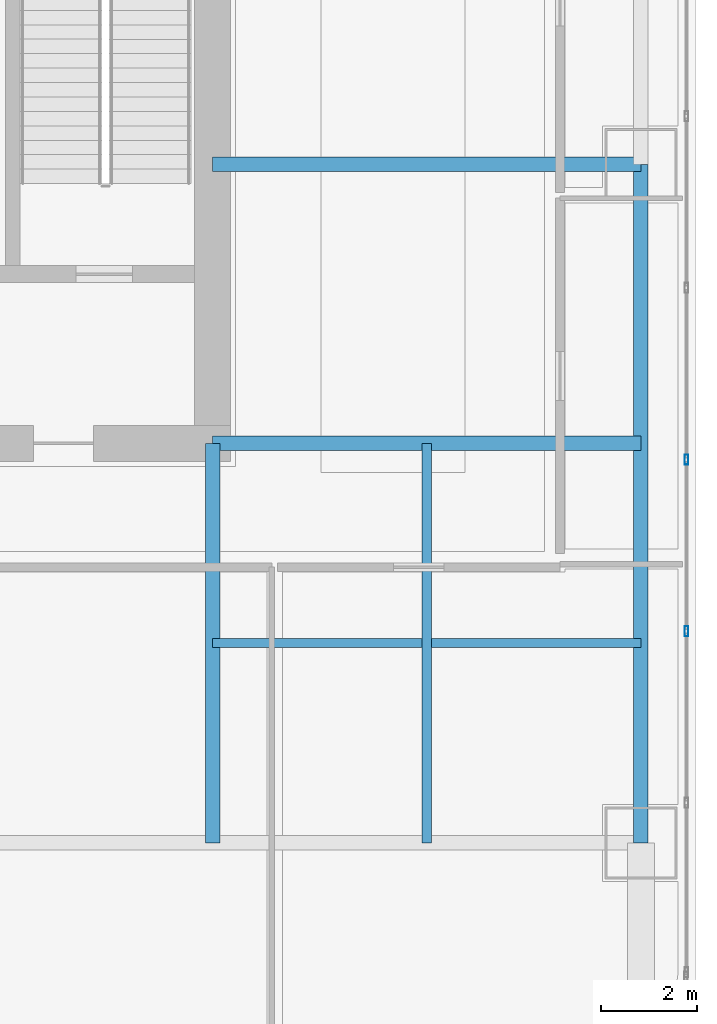
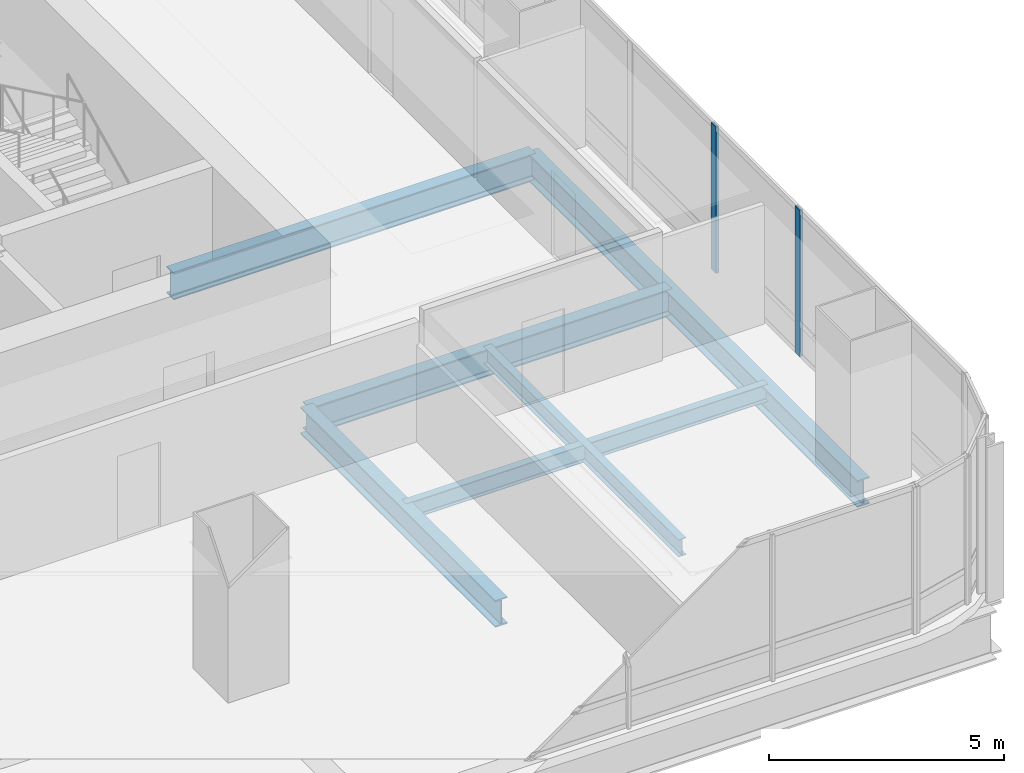
# One storey, part 14 of 36: 6 beams, 2 members, 1 element without a shape of its own.
"""IFC4 building model written with IfcOpenShell, lengths in metres."""

from ifc_helpers import new_model, si_unit, direction, frame, origin, origin_2d, place, context, subcontext, project, spatial, hollow_rectangle, i_section, extrude, material, material_profile, profile_set, type_object, element, aggregate, save


model = new_model("IFC4")

# Units and contexts
model_context = context("Model", 3, precision=1e-05, world=origin(), true_north=direction((0.0, 1.0)))
body_context = subcontext(model_context, "Body", "Model", "MODEL_VIEW")
ifc_project = project(units=[si_unit("LENGTHUNIT", "METRE"), si_unit("AREAUNIT", "SQUARE_METRE"), si_unit("VOLUMEUNIT", "CUBIC_METRE"), si_unit("PLANEANGLEUNIT", "RADIAN"), si_unit("MASSUNIT", "GRAM", prefix="KILO")], contexts=[model_context])

# Site, building, storey
site_placement = place(None, origin())
site = spatial("IfcSite", under=ifc_project, at=site_placement, CompositionType="ELEMENT")
building_placement = place(site_placement, origin())
building = spatial("IfcBuilding", under=site, at=building_placement, Name="Punatoya Terracotta Tower", CompositionType="ELEMENT")
storey_placement = place(building_placement, frame((0.0, 0.0, 36.300048828125)))
storey = spatial("IfcBuildingStorey", under=building, at=storey_placement, Name="L07", CompositionType="ELEMENT", Elevation=36.300048828125)

# Beams
ifc_material_1 = material(Name="Steel S355", Category="steel")
ifc_material_profile_1 = material_profile(ifc_material_1, i_section(OverallWidth=0.300048828125, OverallDepth=0.699951171875, WebThickness=0.01708984375, FlangeThickness=0.031982421875, FilletRadius=0.01806640625, at=origin_2d()))
ifc_profile_set_1 = profile_set([ifc_material_profile_1], Name="Steel S355")
beam_type_1 = type_object("IfcBeamType", Name="BM-PRI-700", PredefinedType="BEAM", material=ifc_profile_set_1)
beam_1_placement = place(storey_placement, frame((19.10009765625, -17.5, -0.590087890625), z_axis=(0.0, 1.0, 0.0), x_axis=(-1.0, 0.0, 0.0)))
element("IfcBeam", 1, at=beam_1_placement, inside=storey, type_object=beam_type_1, Name="BM-L07-RG-E1", PredefinedType="BEAM", context=body_context, shape_type="SweptSolid", body=[
    extrude(i_section(OverallWidth=0.300048828125, OverallDepth=0.699951171875, WebThickness=0.01708984375, FlangeThickness=0.031982421875, FilletRadius=0.01806640625, at=origin_2d()), origin(), (0.0, 0.0, 1.0), 14.10009765625),
])
for number, where, z_axis, x_axis, name in (
    (2, (10.199951171875, -9.199951171875, -0.590087890625), (1.0, 0.0, 0.0), (0.0, 1.0, 0.0), "BM-L07-PR-ES"),
    (3, (10.199951171875, -3.39990234375, -0.590087890625), (1.0, 0.0, 0.0), (0.0, 1.0, 0.0), "BM-L07-PR-ED"),
):
    element("IfcBeam", number, at=place(storey_placement, frame(where, z_axis=z_axis, x_axis=x_axis)), inside=storey, type_object=beam_type_1, Name=name, PredefinedType="BEAM", context=body_context, shape_type="SweptSolid", body=[
        extrude(i_section(OverallWidth=0.300048828125, OverallDepth=0.699951171875, WebThickness=0.01708984375, FlangeThickness=0.031982421875, FilletRadius=0.01806640625, at=origin_2d()), origin(), (0.0, 0.0, 1.0), 8.900146484375),
    ])
beam_2_placement = place(storey_placement, frame((10.199951171875, -17.5, -0.590087890625), z_axis=(0.0, 1.0, 0.0), x_axis=(-1.0, 0.0, 0.0)))
element("IfcBeam", 4, at=beam_2_placement, inside=storey, type_object=beam_type_1, Name="BM-L07-PR-S4", PredefinedType="BEAM", context=body_context, shape_type="SweptSolid", body=[
    extrude(i_section(OverallWidth=0.300048828125, OverallDepth=0.699951171875, WebThickness=0.01708984375, FlangeThickness=0.031982421875, FilletRadius=0.01806640625, at=origin_2d()), origin(), (0.0, 0.0, 1.0), 8.300048828125),
])
ifc_material_profile_2 = material_profile(ifc_material_1, i_section(OverallWidth=0.18994140625, OverallDepth=0.449951171875, WebThickness=0.009521484375, FlangeThickness=0.0146484375, FilletRadius=0.01806640625, at=origin_2d()))
ifc_profile_set_2 = profile_set([ifc_material_profile_2], Name="Steel S355")
beam_type_2 = type_object("IfcBeamType", Name="BM-SEC-450", PredefinedType="JOIST", material=ifc_profile_set_2)
beam_3_placement = place(storey_placement, frame((10.199951171875, -13.35009765625, -0.465087890625), z_axis=(1.0, 0.0, 0.0), x_axis=(0.0, 1.0, 0.0)))
element("IfcBeam", 5, at=beam_3_placement, inside=storey, type_object=beam_type_2, Name="BM-L07-SJS-2", PredefinedType="JOIST", context=body_context, shape_type="SweptSolid", body=[
    extrude(i_section(OverallWidth=0.18994140625, OverallDepth=0.449951171875, WebThickness=0.009521484375, FlangeThickness=0.0146484375, FilletRadius=0.01806640625, at=origin_2d()), origin(), (0.0, 0.0, 1.0), 8.900146484375),
])
beam_4_placement = place(storey_placement, frame((14.64990234375, -17.5, -0.465087890625), z_axis=(0.0, 1.0, 0.0), x_axis=(-1.0, 0.0, 0.0)))
element("IfcBeam", 6, at=beam_4_placement, inside=storey, type_object=beam_type_2, Name="BM-L07-SJE-1", PredefinedType="JOIST", context=body_context, shape_type="SweptSolid", body=[
    extrude(i_section(OverallWidth=0.18994140625, OverallDepth=0.449951171875, WebThickness=0.009521484375, FlangeThickness=0.0146484375, FilletRadius=0.01806640625, at=origin_2d()), origin(), (0.0, 0.0, 1.0), 8.300048828125),
])

# Curtain wall, members
ifc_material_2 = material(Name="Aluminium 6063-T6 + Double Low-E Glass", Category="aluminium")
curtain_wall_type = type_object("IfcCurtainWallType", Name="CW-M1", PredefinedType="NOTDEFINED", material=ifc_material_2)
curtain_wall_placement = place(storey_placement, origin())
curtain_wall = element("IfcCurtainWall", 7, at=curtain_wall_placement, inside=storey, type_object=curtain_wall_type, Name="L07 Curtain Wall CW-L07-E05-1", PredefinedType="NOTDEFINED")
ifc_material_3 = material(Name="Aluminium 6063-T6", Category="aluminium")
ifc_material_profile_3 = material_profile(ifc_material_3, hollow_rectangle(XDim=0.074951171875, YDim=0.2099609375, WallThickness=0.00439453125, at=origin_2d()))
ifc_profile_set_3 = profile_set([ifc_material_profile_3], Name="Aluminium 6063-T6")
member_type = type_object("IfcMemberType", Name="CW-MUL-M1", PredefinedType="MULLION", material=ifc_profile_set_3)
member_1_placement = place(storey_placement, frame((20.050048828125, -13.10205078125, 0.0), z_axis=(0.0, 0.0, 1.0), x_axis=(1.0, 0.0, 0.0)))
member_1 = element("IfcMember", 8, at=member_1_placement, type_object=member_type, Name="CW-L07-E05-1 Mullion 02", PredefinedType="MULLION", context=body_context, shape_type="SweptSolid", body=[
    extrude(hollow_rectangle(XDim=0.074951171875, YDim=0.2099609375, WallThickness=0.00439453125, at=origin_2d()), origin(), (0.0, 0.0, 1.0), 3.81005859375),
])
member_2_placement = place(storey_placement, frame((20.050048828125, -9.534912109375, 0.0), z_axis=(0.0, 0.0, 1.0), x_axis=(1.0, 0.0, 0.0)))
member_2 = element("IfcMember", 9, at=member_2_placement, type_object=member_type, Name="CW-L07-E05-1 Mullion 03", PredefinedType="MULLION", context=body_context, shape_type="SweptSolid", body=[
    extrude(hollow_rectangle(XDim=0.074951171875, YDim=0.2099609375, WallThickness=0.00439453125, at=origin_2d()), origin(), (0.0, 0.0, 1.0), 3.81005859375),
])
aggregate(curtain_wall, [member_1, member_2])

save(model, "model.ifc")
